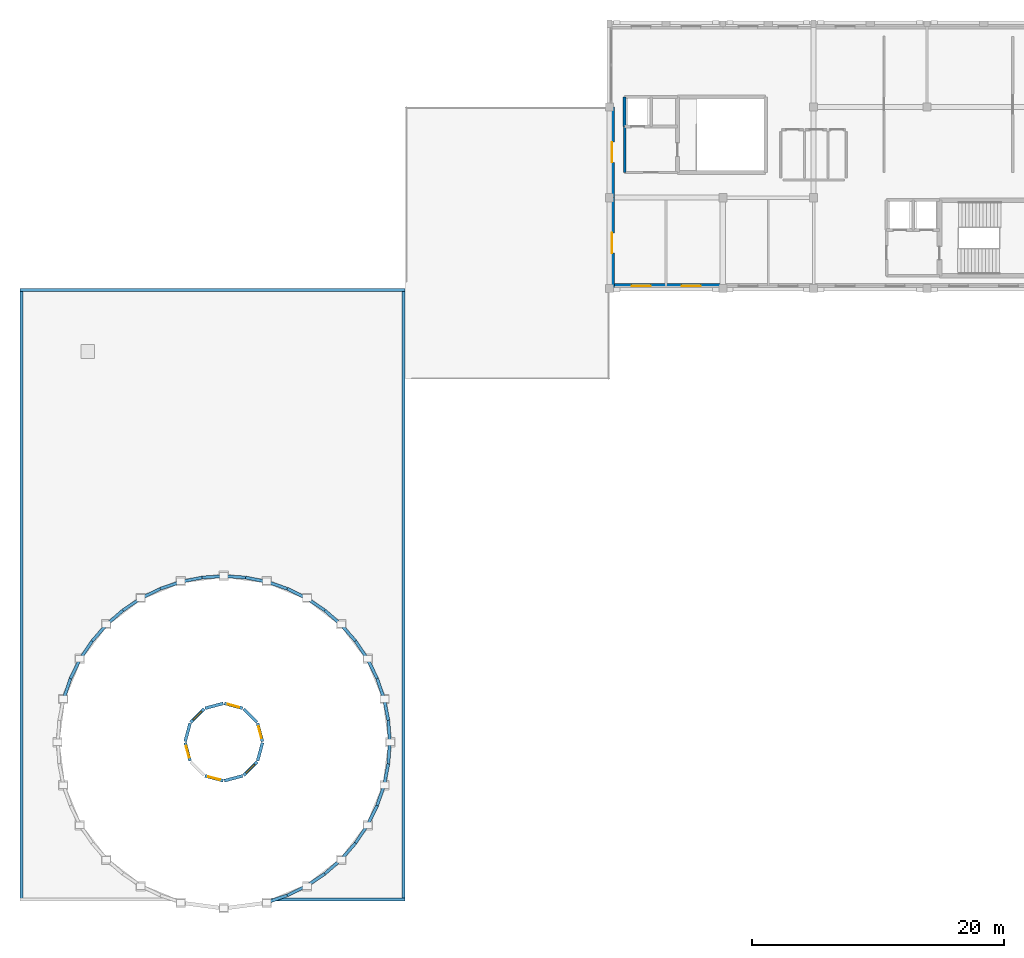
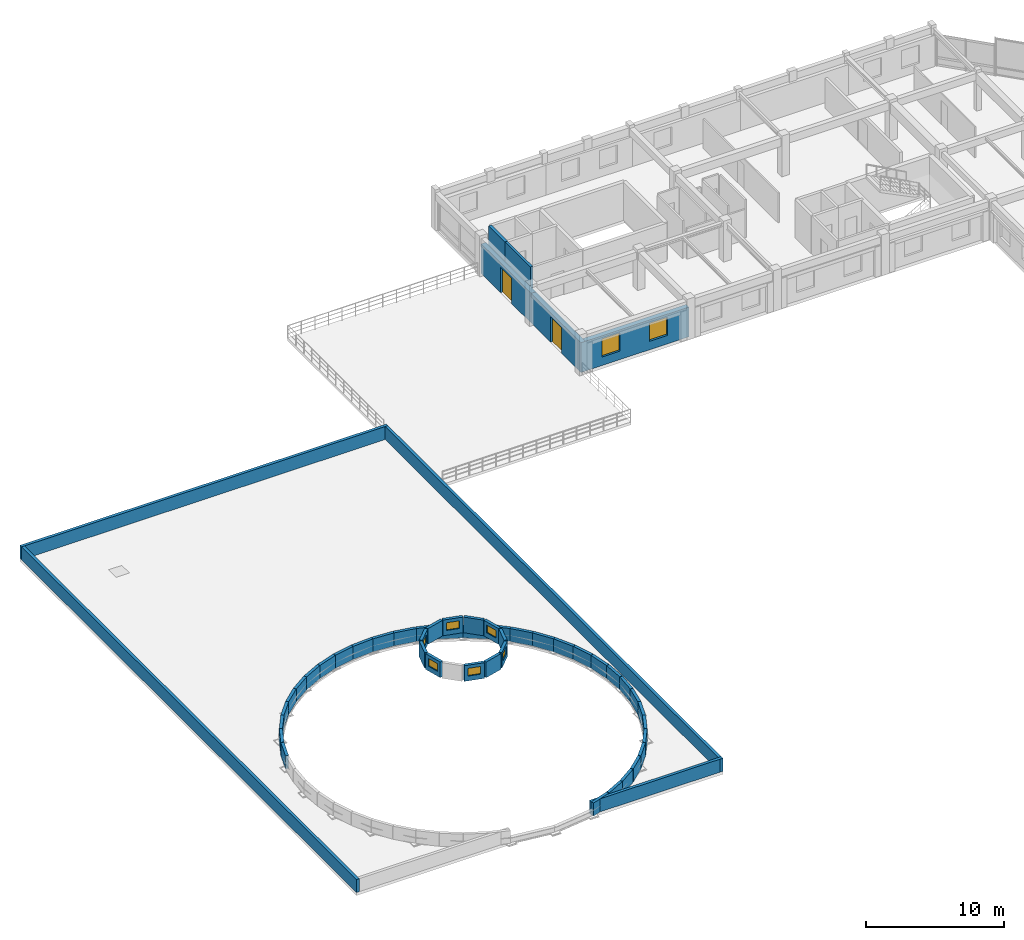
# One storey, part 12 of 18: 52 walls, 8 windows, 2 doors, 10 openings.
"""IFC4 building model written with IfcOpenShell, lengths in metres."""

from ifc_helpers import new_model, si_unit, direction, frame, frame_2d, origin, place, context, subcontext, project, spatial, rectangle, extrude, material, layer, layer_set, type_object, element, fill, save


model = new_model("IFC4")

# Units and contexts
model_context = context("Model", 3, precision=1e-05, world=origin(), true_north=direction((0.0, 1.0)))
body_context = subcontext(model_context, "Body", "Model", "MODEL_VIEW")
ifc_project = project(units=[si_unit("LENGTHUNIT", "METRE"), si_unit("AREAUNIT", "SQUARE_METRE"), si_unit("VOLUMEUNIT", "CUBIC_METRE"), si_unit("PLANEANGLEUNIT", "RADIAN"), si_unit("MASSUNIT", "GRAM", prefix="KILO")], contexts=[model_context])

# Site, building, storey
site_placement = place(None, origin())
site = spatial("IfcSite", under=ifc_project, at=site_placement, CompositionType="ELEMENT")
building_placement = place(site_placement, origin())
building = spatial("IfcBuilding", under=site, at=building_placement, Name="Clarverna Civic Hall", CompositionType="ELEMENT")
storey_placement = place(building_placement, frame((0.0, 0.0, 20.39990234375)))
storey = spatial("IfcBuildingStorey", under=building, at=storey_placement, Name="L05", CompositionType="ELEMENT", Elevation=20.39990234375)

# Wall, openings, windows
ifc_material_1 = material(Name="Montjuic Limestone Ashlar Cladding", Category="masonry")
ifc_layer_1 = layer(ifc_material_1, 0.39990234375)
ifc_layer_set_1 = layer_set([ifc_layer_1], Name="Montjuic Limestone Ashlar Cladding")
wall_type_1 = type_object("IfcWallType", Name="EW-02", PredefinedType="SOLIDWALL", material=ifc_layer_set_1)
wall_1_placement = place(storey_placement, frame((122.39990234375, 95.199951171875, 0.0), z_axis=(0.0, 0.0, 1.0), x_axis=(-1.0, 0.0, 0.0)))
wall_1 = element("IfcWall", 1, at=wall_1_placement, inside=storey, type_object=wall_type_1, Name="EW-02-268", PredefinedType="SOLIDWALL", context=body_context, shape_type="SweptSolid", body=[
    extrude(rectangle(XDim=9.0, YDim=0.39990234375, at=frame_2d((4.5, 0.0))), origin(), (0.0, 0.0, 1.0), 2.6201171875),
])
opening_1_placement = place(wall_1_placement, frame((1.77001953125, 0.0, 0.75)))
opening_1 = element("IfcOpeningElement", 2, at=opening_1_placement, cuts=wall_1, Name="Opening WN-14", PredefinedType="OPENING", context=body_context, shape_type="SweptSolid", body=[
    extrude(rectangle(XDim=1.5, YDim=1.60009765625, at=frame_2d((0.75, 0.800048828125))), frame((0.0, 0.2099609375, 0.0), z_axis=(0.0, -1.0, 0.0), x_axis=(1.0, 0.0, 0.0)), (0.0, 0.0, 1.0), 0.419921875),
])
opening_2_placement = place(wall_1_placement, frame((5.72998046875, 0.0, 0.75)))
opening_2 = element("IfcOpeningElement", 3, at=opening_2_placement, cuts=wall_1, Name="Opening WN-14", PredefinedType="OPENING", context=body_context, shape_type="SweptSolid", body=[
    extrude(rectangle(XDim=1.5, YDim=1.60009765625, at=frame_2d((0.75, 0.800048828125))), frame((0.0, 0.2099609375, 0.0), z_axis=(0.0, -1.0, 0.0), x_axis=(1.0, 0.0, 0.0)), (0.0, 0.0, 1.0), 0.419921875),
])
ifc_material_2 = material(Name="Solar-Control Argon Low-E Double Glazing", Category="glass")
window_type_1 = type_object("IfcWindowType", Name="WN-14", PartitioningType="DOUBLE_PANEL_HORIZONTAL", PredefinedType="WINDOW", material=ifc_material_2)
window_1_placement = place(opening_1_placement, origin())
window_1 = element("IfcWindow", 4, at=window_1_placement, inside=storey, type_object=window_type_1, Name="WN-14-315", OverallHeight=1.60009765625, OverallWidth=1.5, PartitioningType="DOUBLE_PANEL_HORIZONTAL", PredefinedType="WINDOW", context=body_context, shape_type="SweptSolid", body=[
    extrude(rectangle(XDim=1.5, YDim=1.60009765625, at=frame_2d((0.75, 0.800048828125))), frame((0.0, 0.030029296875, 0.0), z_axis=(0.0, -1.0, 0.0), x_axis=(1.0, 0.0, 0.0)), (0.0, 0.0, 1.0), 0.06005859375),
])
fill(opening_1, window_1)
window_2_placement = place(opening_2_placement, origin())
window_2 = element("IfcWindow", 5, at=window_2_placement, inside=storey, type_object=window_type_1, Name="WN-14-316", OverallHeight=1.60009765625, OverallWidth=1.5, PartitioningType="DOUBLE_PANEL_HORIZONTAL", PredefinedType="WINDOW", context=body_context, shape_type="SweptSolid", body=[
    extrude(rectangle(XDim=1.5, YDim=1.60009765625, at=frame_2d((0.75, 0.800048828125))), frame((0.0, 0.030029296875, 0.0), z_axis=(0.0, -1.0, 0.0), x_axis=(1.0, 0.0, 0.0)), (0.0, 0.0, 1.0), 0.06005859375),
])
fill(opening_2, window_2)

# Wall, opening, door
wall_2_placement = place(storey_placement, frame((113.60009765625, 95.0, 0.0), z_axis=(0.0, 0.0, 1.0), x_axis=(0.0, 1.0, 0.0)))
wall_2 = element("IfcWall", 6, at=wall_2_placement, inside=storey, type_object=wall_type_1, Name="EW-02-269", PredefinedType="SOLIDWALL", context=body_context, shape_type="SweptSolid", body=[
    extrude(rectangle(XDim=7.199951171875, YDim=0.39990234375, at=frame_2d((3.60009765625, 0.0))), origin(), (0.0, 0.0, 1.0), 2.6201171875),
])
opening_3_placement = place(wall_2_placement, frame((2.800048828125, 0.0, 0.0)))
opening_3 = element("IfcOpeningElement", 7, at=opening_3_placement, cuts=wall_2, Name="Opening ED-04", PredefinedType="OPENING", context=body_context, shape_type="SweptSolid", body=[
    extrude(rectangle(XDim=1.60009765625, YDim=2.25, at=frame_2d((0.800048828125, 1.125))), frame((0.0, 0.2099609375, 0.0), z_axis=(0.0, -1.0, 0.0), x_axis=(1.0, 0.0, 0.0)), (0.0, 0.0, 1.0), 0.419921875),
])
ifc_material_3 = material(Name="Anodised Bronze Glazed Door")
door_type = type_object("IfcDoorType", Name="ED-04", OperationType="DOUBLE_DOOR_SINGLE_SWING", PredefinedType="DOOR", material=ifc_material_3)
door_1_placement = place(opening_3_placement, origin())
door_1 = element("IfcDoor", 8, at=door_1_placement, inside=storey, type_object=door_type, Name="ED-04-036", OperationType="DOUBLE_DOOR_SINGLE_SWING", OverallHeight=2.25, OverallWidth=1.60009765625, PredefinedType="DOOR", context=body_context, shape_type="SweptSolid", body=[
    extrude(rectangle(XDim=1.60009765625, YDim=2.25, at=frame_2d((0.800048828125, 1.125))), frame((0.0, 0.02490234375, 0.0), z_axis=(0.0, -1.0, 0.0), x_axis=(1.0, 0.0, 0.0)), (0.0, 0.0, 1.0), 0.050048828125),
])
fill(opening_3, door_1)

wall_3_placement = place(storey_placement, frame((113.60009765625, 102.199951171875, 0.0), z_axis=(0.0, 0.0, 1.0), x_axis=(0.0, 1.0, 0.0)))
wall_3 = element("IfcWall", 9, at=wall_3_placement, inside=storey, type_object=wall_type_1, Name="EW-02-270", PredefinedType="SOLIDWALL", context=body_context, shape_type="SweptSolid", body=[
    extrude(rectangle(XDim=7.199951171875, YDim=0.39990234375, at=frame_2d((3.60009765625, 0.0))), origin(), (0.0, 0.0, 1.0), 2.6201171875),
])
opening_4_placement = place(wall_3_placement, frame((2.800048828125, 0.0, 0.0)))
opening_4 = element("IfcOpeningElement", 10, at=opening_4_placement, cuts=wall_3, Name="Opening ED-04", PredefinedType="OPENING", context=body_context, shape_type="SweptSolid", body=[
    extrude(rectangle(XDim=1.60009765625, YDim=2.25, at=frame_2d((0.800048828125, 1.125))), frame((0.0, 0.2099609375, 0.0), z_axis=(0.0, -1.0, 0.0), x_axis=(1.0, 0.0, 0.0)), (0.0, 0.0, 1.0), 0.419921875),
])
door_2_placement = place(opening_4_placement, origin())
door_2 = element("IfcDoor", 11, at=door_2_placement, inside=storey, type_object=door_type, Name="ED-04-037", OperationType="DOUBLE_DOOR_SINGLE_SWING", OverallHeight=2.25, OverallWidth=1.60009765625, PredefinedType="DOOR", context=body_context, shape_type="SweptSolid", body=[
    extrude(rectangle(XDim=1.60009765625, YDim=2.25, at=frame_2d((0.800048828125, 1.125))), frame((0.0, 0.02490234375, 0.0), z_axis=(0.0, -1.0, 0.0), x_axis=(1.0, 0.0, 0.0)), (0.0, 0.0, 1.0), 0.050048828125),
])
fill(opening_4, door_2)

# Wall, opening, window
ifc_material_4 = material(Name="Precast concrete C40/50", Category="concrete")
ifc_layer_2 = layer(ifc_material_4, 0.320068359375)
ifc_layer_set_2 = layer_set([ifc_layer_2], Name="Precast concrete C40/50")
wall_type_2 = type_object("IfcWallType", Name="EW-04", PredefinedType="SOLIDWALL", material=ifc_layer_set_2)
wall_4_placement = place(storey_placement, frame((85.8671875, 59.04833984375, 7.5400390625), z_axis=(0.0, 0.0, 1.0), x_axis=(-0.258953850934, 0.965889695093, 0.0)))
wall_4 = element("IfcWall", 12, at=wall_4_placement, inside=storey, type_object=wall_type_2, Name="EW-04-019", PredefinedType="SOLIDWALL", context=body_context, shape_type="SweptSolid", body=[
    extrude(rectangle(XDim=1.494384765625, YDim=0.239990234375, at=frame_2d((0.7470703125, 0.0))), origin(), (0.0, 0.0, 1.0), 1.380126953125),
])
opening_5_placement = place(wall_4_placement, frame((0.272216796875, 0.0, 0.419921875)))
opening_5 = element("IfcOpeningElement", 13, at=opening_5_placement, cuts=wall_4, Name="Opening SK-01", PredefinedType="OPENING", context=body_context, shape_type="SweptSolid", body=[
    extrude(rectangle(XDim=0.949951171875, YDim=0.679931640625, at=frame_2d((0.47509765625, 0.33984375))), frame((0.0, 0.1298828125, 0.0), z_axis=(0.0, -1.0, 0.0), x_axis=(1.0, 0.0, 0.0)), (0.0, 0.0, 1.0), 0.260009765625),
])
window_type_2 = type_object("IfcWindowType", Name="SK-01", PartitioningType="SINGLE_PANEL", PredefinedType="SKYLIGHT", material=ifc_material_2)
window_3_placement = place(opening_5_placement, origin())
window_3 = element("IfcWindow", 14, at=window_3_placement, inside=storey, type_object=window_type_2, Name="SK-01-001", OverallHeight=0.679931640625, OverallWidth=0.949951171875, PartitioningType="SINGLE_PANEL", PredefinedType="SKYLIGHT", context=body_context, shape_type="SweptSolid", body=[
    extrude(rectangle(XDim=0.949951171875, YDim=0.679931640625, at=frame_2d((0.47509765625, 0.33984375))), frame((0.0, 0.030029296875, 0.0), z_axis=(0.0, -1.0, 0.0), x_axis=(1.0, 0.0, 0.0)), (0.0, 0.0, 1.0), 0.06005859375),
])
fill(opening_5, window_3)

# Wall
wall_5_placement = place(storey_placement, frame((85.431884765625, 60.575439453125, 7.5400390625), z_axis=(0.0, 0.0, 1.0), x_axis=(-0.707025077244, 0.70718847569, 0.0)))
element("IfcWall", 15, at=wall_5_placement, inside=storey, type_object=wall_type_2, Name="EW-04-020", PredefinedType="SOLIDWALL", context=body_context, shape_type="SweptSolid", body=[
    extrude(rectangle(XDim=1.494140625, YDim=0.239990234375, at=frame_2d((0.7470703125, 0.0))), origin(), (0.0, 0.0, 1.0), 1.380126953125),
])

# Wall, opening, window
wall_6_placement = place(storey_placement, frame((84.291748046875, 61.680419921875, 7.5400390625), z_axis=(0.0, 0.0, 1.0), x_axis=(-0.965930548995, 0.258801419081, 0.0)))
wall_6 = element("IfcWall", 16, at=wall_6_placement, inside=storey, type_object=wall_type_2, Name="EW-04-021", PredefinedType="SOLIDWALL", context=body_context, shape_type="SweptSolid", body=[
    extrude(rectangle(XDim=1.494384765625, YDim=0.239990234375, at=frame_2d((0.7470703125, 0.0))), origin(), (0.0, 0.0, 1.0), 1.380126953125),
])
opening_6_placement = place(wall_6_placement, frame((0.272216796875, 0.0, 0.419921875)))
opening_6 = element("IfcOpeningElement", 17, at=opening_6_placement, cuts=wall_6, Name="Opening SK-01", PredefinedType="OPENING", context=body_context, shape_type="SweptSolid", body=[
    extrude(rectangle(XDim=0.949951171875, YDim=0.679931640625, at=frame_2d((0.47509765625, 0.33984375))), frame((0.0, 0.1298828125, 0.0), z_axis=(0.0, -1.0, 0.0), x_axis=(1.0, 0.0, 0.0)), (0.0, 0.0, 1.0), 0.260009765625),
])
window_4_placement = place(opening_6_placement, origin())
window_4 = element("IfcWindow", 18, at=window_4_placement, inside=storey, type_object=window_type_2, Name="SK-01-002", OverallHeight=0.679931640625, OverallWidth=0.949951171875, PartitioningType="SINGLE_PANEL", PredefinedType="SKYLIGHT", context=body_context, shape_type="SweptSolid", body=[
    extrude(rectangle(XDim=0.949951171875, YDim=0.679931640625, at=frame_2d((0.47509765625, 0.33984375))), frame((0.0, 0.030029296875, 0.0), z_axis=(0.0, -1.0, 0.0), x_axis=(1.0, 0.0, 0.0)), (0.0, 0.0, 1.0), 0.06005859375),
])
fill(opening_6, window_4)

# Wall
wall_7_placement = place(storey_placement, frame((82.751708984375, 62.067138671875, 7.5400390625), z_axis=(0.0, 0.0, 1.0), x_axis=(-0.965930548995, -0.258801419081, 0.0)))
element("IfcWall", 19, at=wall_7_placement, inside=storey, type_object=wall_type_2, Name="EW-04-022", PredefinedType="SOLIDWALL", context=body_context, shape_type="SweptSolid", body=[
    extrude(rectangle(XDim=1.494384765625, YDim=0.239990234375, at=frame_2d((0.7470703125, 0.0))), origin(), (0.0, 0.0, 1.0), 1.380126953125),
])

# Wall, opening, window
wall_8_placement = place(storey_placement, frame((81.224609375, 61.632080078125, 7.5400390625), z_axis=(0.0, 0.0, 1.0), x_axis=(-0.707106781187, -0.707106781187, 0.0)))
wall_8 = element("IfcWall", 20, at=wall_8_placement, inside=storey, type_object=wall_type_2, Name="EW-04-023", PredefinedType="SOLIDWALL", context=body_context, shape_type="SweptSolid", body=[
    extrude(rectangle(XDim=1.494384765625, YDim=0.239990234375, at=frame_2d((0.7470703125, 0.0))), origin(), (0.0, 0.0, 1.0), 1.380126953125),
])
opening_7_placement = place(wall_8_placement, frame((0.272216796875, 0.0, 0.419921875)))
opening_7 = element("IfcOpeningElement", 21, at=opening_7_placement, cuts=wall_8, Name="Opening SK-01", PredefinedType="OPENING", context=body_context, shape_type="SweptSolid", body=[
    extrude(rectangle(XDim=0.949951171875, YDim=0.679931640625, at=frame_2d((0.47509765625, 0.33984375))), frame((0.0, 0.1298828125, 0.0), z_axis=(0.0, -1.0, 0.0), x_axis=(1.0, 0.0, 0.0)), (0.0, 0.0, 1.0), 0.260009765625),
])
window_5_placement = place(opening_7_placement, origin())
window_5 = element("IfcWindow", 22, at=window_5_placement, inside=storey, type_object=window_type_2, Name="SK-01-003", OverallHeight=0.679931640625, OverallWidth=0.949951171875, PartitioningType="SINGLE_PANEL", PredefinedType="SKYLIGHT", context=body_context, shape_type="SweptSolid", body=[
    extrude(rectangle(XDim=0.949951171875, YDim=0.679931640625, at=frame_2d((0.47509765625, 0.33984375))), frame((0.0, 0.030029296875, 0.0), z_axis=(0.0, -1.0, 0.0), x_axis=(1.0, 0.0, 0.0)), (0.0, 0.0, 1.0), 0.06005859375),
])
fill(opening_7, window_5)

# Wall
wall_9_placement = place(storey_placement, frame((80.11962890625, 60.49169921875, 7.5400390625), z_axis=(0.0, 0.0, 1.0), x_axis=(-0.258801419081, -0.965930548995, 0.0)))
element("IfcWall", 23, at=wall_9_placement, inside=storey, type_object=wall_type_2, Name="EW-04-024", PredefinedType="SOLIDWALL", context=body_context, shape_type="SweptSolid", body=[
    extrude(rectangle(XDim=1.494384765625, YDim=0.239990234375, at=frame_2d((0.7470703125, 0.0))), origin(), (0.0, 0.0, 1.0), 1.380126953125),
])

# Wall, opening, window
wall_10_placement = place(storey_placement, frame((79.73291015625, 58.95166015625, 7.5400390625), z_axis=(0.0, 0.0, 1.0), x_axis=(0.258801419081, -0.965930548995, 0.0)))
wall_10 = element("IfcWall", 24, at=wall_10_placement, inside=storey, type_object=wall_type_2, Name="EW-04-025", PredefinedType="SOLIDWALL", context=body_context, shape_type="SweptSolid", body=[
    extrude(rectangle(XDim=1.494384765625, YDim=0.239990234375, at=frame_2d((0.7470703125, 0.0))), origin(), (0.0, 0.0, 1.0), 1.380126953125),
])
opening_8_placement = place(wall_10_placement, frame((0.272216796875, 0.0, 0.419921875)))
opening_8 = element("IfcOpeningElement", 25, at=opening_8_placement, cuts=wall_10, Name="Opening SK-01", PredefinedType="OPENING", context=body_context, shape_type="SweptSolid", body=[
    extrude(rectangle(XDim=0.949951171875, YDim=0.679931640625, at=frame_2d((0.47509765625, 0.33984375))), frame((0.0, 0.1298828125, 0.0), z_axis=(0.0, -1.0, 0.0), x_axis=(1.0, 0.0, 0.0)), (0.0, 0.0, 1.0), 0.260009765625),
])
window_6_placement = place(opening_8_placement, origin())
window_6 = element("IfcWindow", 26, at=window_6_placement, inside=storey, type_object=window_type_2, Name="SK-01-004", OverallHeight=0.679931640625, OverallWidth=0.949951171875, PartitioningType="SINGLE_PANEL", PredefinedType="SKYLIGHT", context=body_context, shape_type="SweptSolid", body=[
    extrude(rectangle(XDim=0.949951171875, YDim=0.679931640625, at=frame_2d((0.47509765625, 0.33984375))), frame((0.0, 0.030029296875, 0.0), z_axis=(0.0, -1.0, 0.0), x_axis=(1.0, 0.0, 0.0)), (0.0, 0.0, 1.0), 0.06005859375),
])
fill(opening_8, window_6)

wall_11_placement = place(storey_placement, frame((81.308349609375, 56.319580078125, 7.5400390625), z_axis=(0.0, 0.0, 1.0), x_axis=(0.965930548995, -0.258801419081, 0.0)))
wall_11 = element("IfcWall", 27, at=wall_11_placement, inside=storey, type_object=wall_type_2, Name="EW-04-027", PredefinedType="SOLIDWALL", context=body_context, shape_type="SweptSolid", body=[
    extrude(rectangle(XDim=1.494384765625, YDim=0.239990234375, at=frame_2d((0.7470703125, 0.0))), origin(), (0.0, 0.0, 1.0), 1.380126953125),
])
opening_9_placement = place(wall_11_placement, frame((0.272216796875, 0.0, 0.419921875)))
opening_9 = element("IfcOpeningElement", 28, at=opening_9_placement, cuts=wall_11, Name="Opening SK-01", PredefinedType="OPENING", context=body_context, shape_type="SweptSolid", body=[
    extrude(rectangle(XDim=0.949951171875, YDim=0.679931640625, at=frame_2d((0.47509765625, 0.33984375))), frame((0.0, 0.1298828125, 0.0), z_axis=(0.0, -1.0, 0.0), x_axis=(1.0, 0.0, 0.0)), (0.0, 0.0, 1.0), 0.260009765625),
])
window_7_placement = place(opening_9_placement, origin())
window_7 = element("IfcWindow", 29, at=window_7_placement, inside=storey, type_object=window_type_2, Name="SK-01-005", OverallHeight=0.679931640625, OverallWidth=0.949951171875, PartitioningType="SINGLE_PANEL", PredefinedType="SKYLIGHT", context=body_context, shape_type="SweptSolid", body=[
    extrude(rectangle(XDim=0.949951171875, YDim=0.679931640625, at=frame_2d((0.47509765625, 0.33984375))), frame((0.0, 0.030029296875, 0.0), z_axis=(0.0, -1.0, 0.0), x_axis=(1.0, 0.0, 0.0)), (0.0, 0.0, 1.0), 0.06005859375),
])
fill(opening_9, window_7)

# Wall
wall_12_placement = place(storey_placement, frame((82.848388671875, 55.932861328125, 7.5400390625), z_axis=(0.0, 0.0, 1.0), x_axis=(0.965930548995, 0.258801419081, 0.0)))
element("IfcWall", 30, at=wall_12_placement, inside=storey, type_object=wall_type_2, Name="EW-04-028", PredefinedType="SOLIDWALL", context=body_context, shape_type="SweptSolid", body=[
    extrude(rectangle(XDim=1.494384765625, YDim=0.239990234375, at=frame_2d((0.7470703125, 0.0))), origin(), (0.0, 0.0, 1.0), 1.380126953125),
])

# Wall, opening, window
wall_13_placement = place(storey_placement, frame((84.37548828125, 56.367919921875, 7.5400390625), z_axis=(0.0, 0.0, 1.0), x_axis=(0.707025077244, 0.70718847569, 0.0)))
wall_13 = element("IfcWall", 31, at=wall_13_placement, inside=storey, type_object=wall_type_2, Name="EW-04-029", PredefinedType="SOLIDWALL", context=body_context, shape_type="SweptSolid", body=[
    extrude(rectangle(XDim=1.494140625, YDim=0.239990234375, at=frame_2d((0.7470703125, 0.0))), origin(), (0.0, 0.0, 1.0), 1.380126953125),
])
opening_10_placement = place(wall_13_placement, frame((0.272216796875, 0.0, 0.419921875)))
opening_10 = element("IfcOpeningElement", 32, at=opening_10_placement, cuts=wall_13, Name="Opening SK-01", PredefinedType="OPENING", context=body_context, shape_type="SweptSolid", body=[
    extrude(rectangle(XDim=0.949951171875, YDim=0.679931640625, at=frame_2d((0.47509765625, 0.33984375))), frame((0.0, 0.1298828125, 0.0), z_axis=(0.0, -1.0, 0.0), x_axis=(1.0, 0.0, 0.0)), (0.0, 0.0, 1.0), 0.260009765625),
])
window_8_placement = place(opening_10_placement, origin())
window_8 = element("IfcWindow", 33, at=window_8_placement, inside=storey, type_object=window_type_2, Name="SK-01-006", OverallHeight=0.679931640625, OverallWidth=0.949951171875, PartitioningType="SINGLE_PANEL", PredefinedType="SKYLIGHT", context=body_context, shape_type="SweptSolid", body=[
    extrude(rectangle(XDim=0.949951171875, YDim=0.679931640625, at=frame_2d((0.47509765625, 0.33984375))), frame((0.0, 0.030029296875, 0.0), z_axis=(0.0, -1.0, 0.0), x_axis=(1.0, 0.0, 0.0)), (0.0, 0.0, 1.0), 0.06005859375),
])
fill(opening_10, window_8)

# Walls
wall_14_placement = place(storey_placement, frame((85.480224609375, 57.50830078125, 7.5400390625), z_axis=(0.0, 0.0, 1.0), x_axis=(0.258953850934, 0.965889695093, 0.0)))
element("IfcWall", 34, at=wall_14_placement, inside=storey, type_object=wall_type_2, Name="EW-04-030", PredefinedType="SOLIDWALL", context=body_context, shape_type="SweptSolid", body=[
    extrude(rectangle(XDim=1.494384765625, YDim=0.239990234375, at=frame_2d((0.7470703125, 0.0))), origin(), (0.0, 0.0, 1.0), 1.380126953125),
])
ifc_layer_3 = layer(ifc_material_4, 0.239990234375)
ifc_layer_set_3 = layer_set([ifc_layer_3], Name="Precast concrete C40/50")
wall_type_3 = type_object("IfcWallType", Name="PR-01", PredefinedType="PARAPET", material=ifc_layer_set_3)
wall_15_placement = place(storey_placement, frame((97.175048828125, 46.52001953125, 0.0), z_axis=(0.0, 0.0, 1.0), x_axis=(-1.0, 0.0, 0.0)))
element("IfcWall", 35, at=wall_15_placement, inside=storey, type_object=wall_type_3, Name="PR-01-045", PredefinedType="PARAPET", context=body_context, shape_type="SweptSolid", body=[
    extrude(rectangle(XDim=10.981689453125, YDim=0.239990234375, at=frame_2d((5.49072265625, 0.0))), origin(), (0.0, 0.0, 1.0), 1.150146484375),
])
wall_16_placement = place(storey_placement, frame((86.23193359375, 46.286376953125, 0.0), z_axis=(0.0, 0.0, 1.0), x_axis=(0.946950444681, 0.32137961248, 0.0)))
element("IfcWall", 36, at=wall_16_placement, inside=storey, type_object=wall_type_3, Name="PR-01-046", PredefinedType="PARAPET", context=body_context, shape_type="SweptSolid", body=[
    extrude(rectangle(XDim=1.690185546875, YDim=0.239990234375, at=frame_2d((0.84521484375, 0.0))), origin(), (0.0, 0.0, 1.0), 1.150146484375),
])
wall_17_placement = place(storey_placement, frame((87.84716796875, 46.835693359375, 0.0), z_axis=(0.0, 0.0, 1.0), x_axis=(0.896845223565, 0.442344486762, 0.0)))
element("IfcWall", 37, at=wall_17_placement, inside=storey, type_object=wall_type_3, Name="PR-01-047", PredefinedType="PARAPET", context=body_context, shape_type="SweptSolid", body=[
    extrude(rectangle(XDim=1.70703125, YDim=0.239990234375, at=frame_2d((0.853515625, 0.0))), origin(), (0.0, 0.0, 1.0), 1.150146484375),
])
wall_18_placement = place(storey_placement, frame((89.3916015625, 47.5986328125, 0.0), z_axis=(0.0, 0.0, 1.0), x_axis=(0.83145577879, 0.555590935776, 0.0)))
element("IfcWall", 38, at=wall_18_placement, inside=storey, type_object=wall_type_3, Name="PR-01-048", PredefinedType="PARAPET", context=body_context, shape_type="SweptSolid", body=[
    extrude(rectangle(XDim=1.707275390625, YDim=0.239990234375, at=frame_2d((0.853515625, 0.0))), origin(), (0.0, 0.0, 1.0), 1.150146484375),
])
for number, where, z_axis, x_axis, name in (
    (39, (90.823486328125, 48.556396484375, 0.0), (0.0, 0.0, 1.0), (0.751858614119, 0.65932436962, 0.0), "PR-01-049"),
    (40, (92.117919921875, 49.693115234375, 0.0), (0.0, 0.0, 1.0), (0.65932436962, 0.751858614119, 0.0), "PR-01-050"),
    (41, (93.2529296875, 50.989013671875, 0.0), (0.0, 0.0, 1.0), (0.5556570049, 0.831411626636, 0.0), "PR-01-051"),
    (42, (94.209228515625, 52.421875, 0.0), (0.0, 0.0, 1.0), (0.442344486762, 0.896845223565, 0.0), "PR-01-052"),
    (43, (94.97021484375, 53.96728515625, 0.0), (0.0, 0.0, 1.0), (0.321500166928, 0.9469095219, 0.0), "PR-01-053"),
):
    element("IfcWall", number, at=place(storey_placement, frame(where, z_axis=z_axis, x_axis=x_axis)), inside=storey, type_object=wall_type_3, Name=name, PredefinedType="PARAPET", context=body_context, shape_type="SweptSolid", body=[
        extrude(rectangle(XDim=1.70703125, YDim=0.239990234375, at=frame_2d((0.853515625, 0.0))), origin(), (0.0, 0.0, 1.0), 1.150146484375),
    ])
wall_19_placement = place(storey_placement, frame((95.52294921875, 55.59912109375, 0.0), z_axis=(0.0, 0.0, 1.0), x_axis=(0.195098288043, 0.980783695828, 0.0)))
element("IfcWall", 44, at=wall_19_placement, inside=storey, type_object=wall_type_3, Name="PR-01-054", PredefinedType="PARAPET", context=body_context, shape_type="SweptSolid", body=[
    extrude(rectangle(XDim=1.706787109375, YDim=0.239990234375, at=frame_2d((0.853515625, 0.0))), origin(), (0.0, 0.0, 1.0), 1.150146484375),
])
for number, where, z_axis, x_axis, name in (
    (45, (95.858154296875, 57.288818359375, 0.0), (0.0, 0.0, 1.0), (0.065360870475, 0.997861692125, 0.0), "PR-01-055"),
    (46, (95.9697265625, 59.0078125, 0.0), (0.0, 0.0, 1.0), (-0.065360870475, 0.997861692125, 0.0), "PR-01-056"),
):
    element("IfcWall", number, at=place(storey_placement, frame(where, z_axis=z_axis, x_axis=x_axis)), inside=storey, type_object=wall_type_3, Name=name, PredefinedType="PARAPET", context=body_context, shape_type="SweptSolid", body=[
        extrude(rectangle(XDim=1.70703125, YDim=0.239990234375, at=frame_2d((0.853515625, 0.0))), origin(), (0.0, 0.0, 1.0), 1.150146484375),
    ])
wall_20_placement = place(storey_placement, frame((95.85595703125, 60.726806640625, 0.0), z_axis=(0.0, 0.0, 1.0), x_axis=(-0.195098288043, 0.980783695828, 0.0)))
element("IfcWall", 47, at=wall_20_placement, inside=storey, type_object=wall_type_3, Name="PR-01-057", PredefinedType="PARAPET", context=body_context, shape_type="SweptSolid", body=[
    extrude(rectangle(XDim=1.706787109375, YDim=0.239990234375, at=frame_2d((0.853515625, 0.0))), origin(), (0.0, 0.0, 1.0), 1.150146484375),
])
for number, where, z_axis, x_axis, name in (
    (48, (95.51904296875, 62.416259765625, 0.0), (0.0, 0.0, 1.0), (-0.321500166928, 0.9469095219, 0.0), "PR-01-058"),
    (49, (94.96435546875, 64.047119140625, 0.0), (0.0, 0.0, 1.0), (-0.442344486762, 0.896845223565, 0.0), "PR-01-059"),
    (50, (94.201416015625, 65.591796875, 0.0), (0.0, 0.0, 1.0), (-0.5556570049, 0.831411626636, 0.0), "PR-01-060"),
    (51, (93.243408203125, 67.0234375, 0.0), (0.0, 0.0, 1.0), (-0.65932436962, 0.751858614119, 0.0), "PR-01-061"),
    (52, (92.10693359375, 68.318115234375, 0.0), (0.0, 0.0, 1.0), (-0.751858614119, 0.65932436962, 0.0), "PR-01-062"),
):
    element("IfcWall", number, at=place(storey_placement, frame(where, z_axis=z_axis, x_axis=x_axis)), inside=storey, type_object=wall_type_3, Name=name, PredefinedType="PARAPET", context=body_context, shape_type="SweptSolid", body=[
        extrude(rectangle(XDim=1.70703125, YDim=0.239990234375, at=frame_2d((0.853515625, 0.0))), origin(), (0.0, 0.0, 1.0), 1.150146484375),
    ])
wall_21_placement = place(storey_placement, frame((90.81103515625, 69.452880859375, 0.0), z_axis=(0.0, 0.0, 1.0), x_axis=(-0.83145577879, 0.555590935776, 0.0)))
element("IfcWall", 53, at=wall_21_placement, inside=storey, type_object=wall_type_3, Name="PR-01-063", PredefinedType="PARAPET", context=body_context, shape_type="SweptSolid", body=[
    extrude(rectangle(XDim=1.707275390625, YDim=0.239990234375, at=frame_2d((0.853515625, 0.0))), origin(), (0.0, 0.0, 1.0), 1.150146484375),
])
wall_22_placement = place(storey_placement, frame((89.378173828125, 70.4091796875, 0.0), z_axis=(0.0, 0.0, 1.0), x_axis=(-0.896845223565, 0.442344486762, 0.0)))
element("IfcWall", 54, at=wall_22_placement, inside=storey, type_object=wall_type_3, Name="PR-01-064", PredefinedType="PARAPET", context=body_context, shape_type="SweptSolid", body=[
    extrude(rectangle(XDim=1.70703125, YDim=0.239990234375, at=frame_2d((0.853515625, 0.0))), origin(), (0.0, 0.0, 1.0), 1.150146484375),
])
for number, where, z_axis, x_axis, name in (
    (55, (87.83251953125, 71.17041015625, 0.0), (0.0, 0.0, 1.0), (-0.946938279461, 0.321415455279, 0.0), "PR-01-065"),
    (56, (86.200927734375, 71.722900390625, 0.0), (0.0, 0.0, 1.0), (-0.980783695828, 0.195098288043, 0.0), "PR-01-066"),
):
    element("IfcWall", number, at=place(storey_placement, frame(where, z_axis=z_axis, x_axis=x_axis)), inside=storey, type_object=wall_type_3, Name=name, PredefinedType="PARAPET", context=body_context, shape_type="SweptSolid", body=[
        extrude(rectangle(XDim=1.706787109375, YDim=0.239990234375, at=frame_2d((0.853515625, 0.0))), origin(), (0.0, 0.0, 1.0), 1.150146484375),
    ])
for number, where, z_axis, x_axis, name in (
    (57, (84.51123046875, 72.05810546875, 0.0), (0.0, 0.0, 1.0), (-0.997861692125, 0.065360870475, 0.0), "PR-01-067"),
    (58, (82.792236328125, 72.169677734375, 0.0), (0.0, 0.0, 1.0), (-0.997861692125, -0.065360870475, 0.0), "PR-01-068"),
    (59, (81.0732421875, 72.055908203125, 0.0), (0.0, 0.0, 1.0), (-0.980789139033, -0.195070922374, 0.0), "PR-01-069"),
    (60, (79.3837890625, 71.718994140625, 0.0), (0.0, 0.0, 1.0), (-0.94695305383, -0.321371924476, 0.0), "PR-01-070"),
    (61, (77.7529296875, 71.164306640625, 0.0), (0.0, 0.0, 1.0), (-0.896845223565, -0.442344486762, 0.0), "PR-01-071"),
    (62, (76.208251953125, 70.4013671875, 0.0), (0.0, 0.0, 1.0), (-0.831411626636, -0.5556570049, 0.0), "PR-01-072"),
    (63, (74.776611328125, 69.443603515625, 0.0), (0.0, 0.0, 1.0), (-0.751858614119, -0.65932436962, 0.0), "PR-01-073"),
    (64, (73.48193359375, 68.306884765625, 0.0), (0.0, 0.0, 1.0), (-0.65932436962, -0.751858614119, 0.0), "PR-01-074"),
):
    element("IfcWall", number, at=place(storey_placement, frame(where, z_axis=z_axis, x_axis=x_axis)), inside=storey, type_object=wall_type_3, Name=name, PredefinedType="PARAPET", context=body_context, shape_type="SweptSolid", body=[
        extrude(rectangle(XDim=1.70703125, YDim=0.239990234375, at=frame_2d((0.853515625, 0.0))), origin(), (0.0, 0.0, 1.0), 1.150146484375),
    ])
wall_23_placement = place(storey_placement, frame((72.346923828125, 67.010986328125, 0.0), z_axis=(0.0, 0.0, 1.0), x_axis=(-0.555558126887, -0.831477701234, 0.0)))
element("IfcWall", 65, at=wall_23_placement, inside=storey, type_object=wall_type_3, Name="PR-01-075", PredefinedType="PARAPET", context=body_context, shape_type="SweptSolid", body=[
    extrude(rectangle(XDim=1.706787109375, YDim=0.239990234375, at=frame_2d((0.853515625, 0.0))), origin(), (0.0, 0.0, 1.0), 1.150146484375),
])
for number, where, z_axis, x_axis, name in (
    (66, (71.390625, 65.578125, 0.0), (0.0, 0.0, 1.0), (-0.442229444634, -0.896901955789, 0.0), "PR-01-076"),
    (67, (70.629638671875, 64.03271484375, 0.0), (0.0, 0.0, 1.0), (-0.321371924476, -0.94695305383, 0.0), "PR-01-077"),
):
    element("IfcWall", number, at=place(storey_placement, frame(where, z_axis=z_axis, x_axis=x_axis)), inside=storey, type_object=wall_type_3, Name=name, PredefinedType="PARAPET", context=body_context, shape_type="SweptSolid", body=[
        extrude(rectangle(XDim=1.70703125, YDim=0.239990234375, at=frame_2d((0.853515625, 0.0))), origin(), (0.0, 0.0, 1.0), 1.150146484375),
    ])
wall_24_placement = place(storey_placement, frame((66.7451171875, 46.39990234375, 0.0), z_axis=(0.0, 0.0, 1.0), x_axis=(0.0, 1.0, 0.0)))
element("IfcWall", 68, at=wall_24_placement, inside=storey, type_object=wall_type_3, Name="PR-01-091", PredefinedType="PARAPET", context=body_context, shape_type="SweptSolid", body=[
    extrude(rectangle(XDim=48.60009765625, YDim=0.239990234375, at=frame_2d((24.300048828125, 0.0))), origin(), (0.0, 0.0, 1.0), 1.150146484375),
])
wall_25_placement = place(storey_placement, frame((66.625, 94.8798828125, 0.0), z_axis=(0.0, 0.0, 1.0), x_axis=(1.0, 0.0, 0.0)))
element("IfcWall", 69, at=wall_25_placement, inside=storey, type_object=wall_type_3, Name="PR-01-092", PredefinedType="PARAPET", context=body_context, shape_type="SweptSolid", body=[
    extrude(rectangle(XDim=30.550048828125, YDim=0.239990234375, at=frame_2d((15.27490234375, 0.0))), origin(), (0.0, 0.0, 1.0), 1.150146484375),
])
wall_26_placement = place(storey_placement, frame((97.054931640625, 95.0, 0.0), z_axis=(0.0, 0.0, 1.0), x_axis=(0.0, -1.0, 0.0)))
element("IfcWall", 70, at=wall_26_placement, inside=storey, type_object=wall_type_3, Name="PR-01-093", PredefinedType="PARAPET", context=body_context, shape_type="SweptSolid", body=[
    extrude(rectangle(XDim=48.60009765625, YDim=0.239990234375, at=frame_2d((24.300048828125, 0.0))), origin(), (0.0, 0.0, 1.0), 1.150146484375),
])
ifc_material_5 = material(Name="Acoustic Gypsum Plasterboard on Twin Frame", Category="gypsum")
ifc_layer_4 = layer(ifc_material_5, 0.18994140625)
ifc_layer_set_4 = layer_set([ifc_layer_4], Name="Acoustic Gypsum Plasterboard on Twin Frame")
wall_type_4 = type_object("IfcWallType", Name="PW-06", PredefinedType="PARTITIONING", material=ifc_layer_set_4)
wall_27_placement = place(storey_placement, frame((114.60009765625, 104.199951171875, 0.0), z_axis=(0.0, 0.0, 1.0), x_axis=(0.0, 1.0, 0.0)))
element("IfcWall", 71, at=wall_27_placement, inside=storey, type_object=wall_type_4, Name="PW-06-101", PredefinedType="PARTITIONING", context=body_context, shape_type="SweptSolid", body=[
    extrude(rectangle(XDim=3.650146484375, YDim=0.18994140625, at=frame_2d((1.8251953125, 0.0))), origin(), (0.0, 0.0, 1.0), 3.340087890625),
])
ifc_material_6 = material(Name="Concrete C35/45", Category="concrete")
ifc_layer_5 = layer(ifc_material_6, 0.300048828125)
ifc_layer_set_5 = layer_set([ifc_layer_5], Name="Concrete C35/45")
wall_type_5 = type_object("IfcWallType", Name="SW-03", PredefinedType="SHEAR", material=ifc_layer_set_5)
wall_28_placement = place(storey_placement, frame((114.60009765625, 107.85009765625, 0.0), z_axis=(0.0, 0.0, 1.0), x_axis=(0.0, 1.0, 0.0)))
element("IfcWall", 72, at=wall_28_placement, inside=storey, type_object=wall_type_5, Name="SW-03-204", PredefinedType="SHEAR", context=body_context, shape_type="SweptSolid", body=[
    extrude(rectangle(XDim=2.349853515625, YDim=0.239990234375, at=frame_2d((1.1748046875, 0.0))), origin(), (0.0, 0.0, 1.0), 3.340087890625),
])

save(model, "model.ifc")
